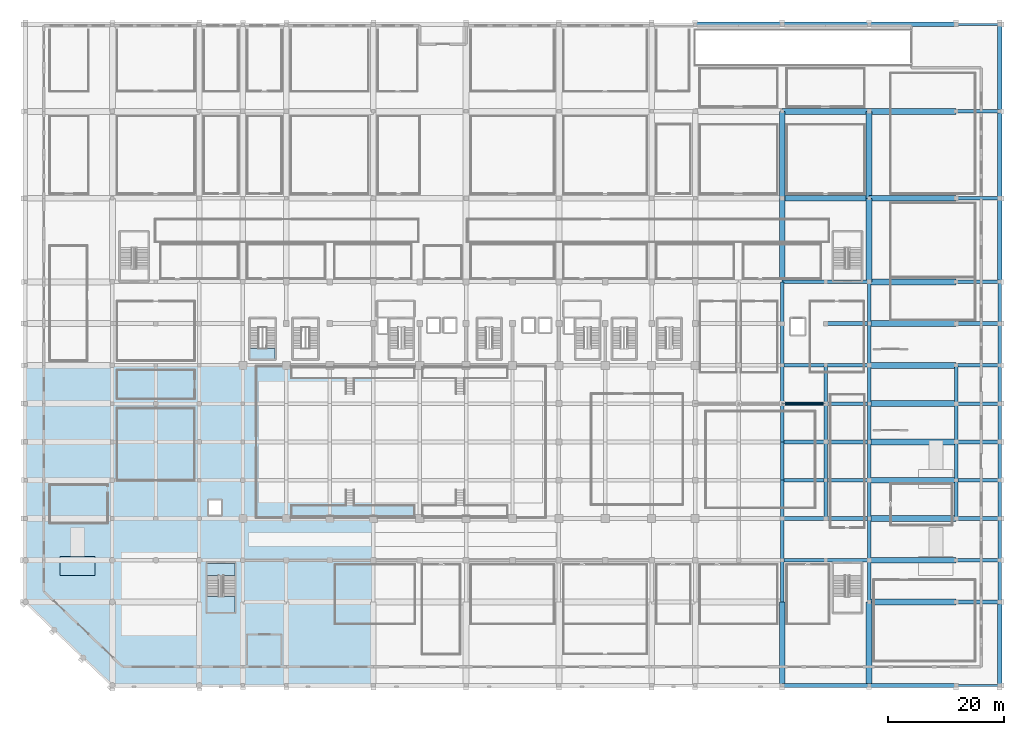
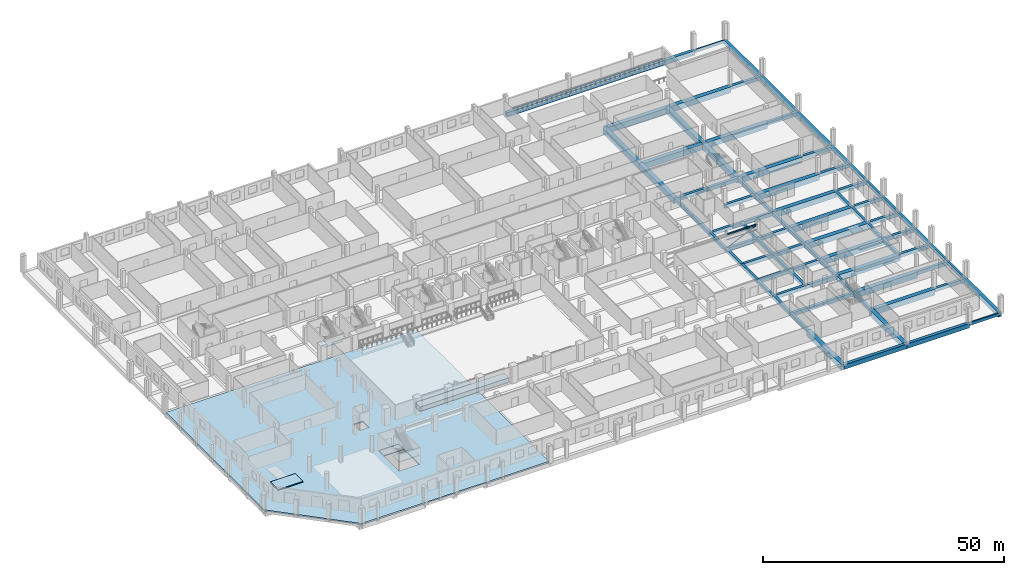
# One storey, part 8 of 33: 89 beams, 6 slabs, 2 members, 2 elements without a shape of their own.
"""IFC4 building model written with IfcOpenShell, lengths in metres."""

import ifcopenshell
import ifcopenshell.guid

model = None  # the IFC model being written
_history = None  # IfcOwnerHistory: only IFC2X3 demands one
_inside = {}  # id of a spatial element -> (the spatial element, [elements in it])
_under = {}  # id of a project, library or spatial element -> (it, [spatial elements below it])
_declared = {}  # id of a project -> (the project, [libraries it declares])
_typed = {}  # id of a type object -> (the type object, [elements of that type])
_made_of = {}  # id of a material, layer set ... -> (it, [elements and type objects made of it])


def new_model(schema):
    """Start an empty IFC model of exactly this schema.

    Asked for "IFC4X3", IfcOpenShell would pick the latest addendum, in which some entities
    have other attributes; the version numbers below select the first issue.
    IFC2X3 requires an IfcOwnerHistory on every rooted entity: one is made here for all.
    """
    global model, _history
    if schema == "IFC4X3":
        model = ifcopenshell.file(schema_version=(4, 3, 0, 0))
    else:
        model = ifcopenshell.file(schema=schema)
    _inside.clear()
    _under.clear()
    _declared.clear()
    _typed.clear()
    _made_of.clear()
    _history = None
    if model.schema == "IFC2X3":
        org = make("IfcOrganization", Name="unknown")
        user = make(
            "IfcPersonAndOrganization",
            ThePerson=make("IfcPerson", FamilyName="unknown"),
            TheOrganization=org,
        )
        app = make(
            "IfcApplication",
            ApplicationDeveloper=org,
            Version="unknown",
            ApplicationFullName="unknown",
            ApplicationIdentifier="unknown",
        )
        _history = make(
            "IfcOwnerHistory",
            OwningUser=user,
            OwningApplication=app,
            ChangeAction="ADDED",
            CreationDate=0,
        )
    return model


def make(cls, **values):
    """One entity of the class cls with the attributes given. An attribute that is None is left unset."""
    return model.create_entity(
        cls, **{name: value for name, value in values.items() if value is not None}
    )


def rooted(cls, **values):
    """An entity with a GlobalId (a new one), such as an element, a storey or a relation."""
    return make(cls, GlobalId=ifcopenshell.guid.new(), OwnerHistory=_history, **values)


def si_unit(unit_type, name, prefix=None):
    """IfcSIUnit, for example si_unit("LENGTHUNIT", "METRE", prefix="MILLI")."""
    return make("IfcSIUnit", UnitType=unit_type, Prefix=prefix, Name=name)


def assignment(units):
    """IfcUnitAssignment: the units of a project."""
    return None if units is None else make("IfcUnitAssignment", Units=units)


def point(xyz):
    """IfcCartesianPoint."""
    return None if xyz is None else make("IfcCartesianPoint", Coordinates=xyz)


def direction(xyz):
    """IfcDirection."""
    return None if xyz is None else make("IfcDirection", DirectionRatios=xyz)


def frame(location, z_axis=None, x_axis=None):
    """IfcAxis2Placement3D, a coordinate frame: its origin and axes. An axis left out is left unset."""
    return make(
        "IfcAxis2Placement3D",
        Location=point(location),
        Axis=direction(z_axis),
        RefDirection=direction(x_axis),
    )


def frame_2d(location, x_axis=None):
    """IfcAxis2Placement2D, a coordinate frame in the plane: its origin and x axis."""
    return make(
        "IfcAxis2Placement2D", Location=point(location), RefDirection=direction(x_axis)
    )


def origin():
    """The frame at (0, 0, 0) with its axes left unset."""
    return frame((0.0, 0.0, 0.0))


def origin_2d():
    """The frame at (0, 0) in the plane with its x axis left unset."""
    return frame_2d((0.0, 0.0))


def place(relative_to, where):
    """IfcLocalPlacement: puts the frame where relative to a parent placement (None: the world)."""
    return make(
        "IfcLocalPlacement", PlacementRelTo=relative_to, RelativePlacement=where
    )


def context(
    kind, dimensions, precision=None, world=None, true_north=None, identifier=None
):
    """IfcGeometricRepresentationContext, for example the 3D "Model" context."""
    return make(
        "IfcGeometricRepresentationContext",
        ContextIdentifier=identifier,
        ContextType=kind,
        CoordinateSpaceDimension=dimensions,
        Precision=precision,
        WorldCoordinateSystem=world,
        TrueNorth=true_north,
    )


def subcontext(parent, identifier, kind, view, scale=None):
    """IfcGeometricRepresentationSubContext, for example "Body" below "Model"."""
    return make(
        "IfcGeometricRepresentationSubContext",
        ContextIdentifier=identifier,
        ContextType=kind,
        ParentContext=parent,
        TargetScale=scale,
        TargetView=view,
    )


def project(units=None, contexts=None):
    """IfcProject with its units and contexts."""
    return rooted(
        "IfcProject",
        Name="project",
        RepresentationContexts=contexts,
        UnitsInContext=assignment(units),
    )


def spatial(cls, under=None, at=None, **own):
    """A site, building, storey or space (cls), placed at a placement, below another one or the project."""
    s = rooted(cls, ObjectPlacement=at, **own)
    if under is not None:
        _under.setdefault(under.id(), (under, []))[1].append(s)
    return s


def polyline(points):
    """IfcPolyline through the points."""
    return make("IfcPolyline", Points=[point(p) for p in points])


def profile(cls, at=None, kind="AREA", **sizes):
    """A parametric profile (cls). Its sizes go by their IFC names, for example OverallWidth=200.0."""
    return make(cls, ProfileType=kind, Position=at, **sizes)


def rectangle(**sizes):
    """IfcRectangleProfileDef."""
    return profile("IfcRectangleProfileDef", **sizes)


def hollow_rectangle(**sizes):
    """IfcRectangleHollowProfileDef."""
    return profile("IfcRectangleHollowProfileDef", **sizes)


def hollow_circle(**sizes):
    """IfcCircleHollowProfileDef."""
    return profile("IfcCircleHollowProfileDef", **sizes)


def i_section(**sizes):
    """IfcIShapeProfileDef."""
    return profile("IfcIShapeProfileDef", **sizes)


def outline(outer, holes=None, kind="AREA"):
    """IfcArbitraryClosedProfileDef: a profile drawn as a closed curve; with holes, ...WithVoids."""
    if holes is None:
        return make("IfcArbitraryClosedProfileDef", ProfileType=kind, OuterCurve=outer)
    return make(
        "IfcArbitraryProfileDefWithVoids",
        ProfileType=kind,
        OuterCurve=outer,
        InnerCurves=holes,
    )


def extrude(swept, where, along, depth):
    """IfcExtrudedAreaSolid: the profile swept, set in the frame where, extruded along a direction by depth."""
    return make(
        "IfcExtrudedAreaSolid",
        SweptArea=swept,
        Position=where,
        ExtrudedDirection=direction(along),
        Depth=depth,
    )


def shape(context_of_items, identifier, shape_type, items):
    """IfcShapeRepresentation: the items that make up one representation, for example the "Body"."""
    return make(
        "IfcShapeRepresentation",
        ContextOfItems=context_of_items,
        RepresentationIdentifier=identifier,
        RepresentationType=shape_type,
        Items=items,
    )


def material(Name=None, Category=None):
    """IfcMaterial."""
    return make("IfcMaterial", Name=Name, Category=Category)


def layer(
    of_material, thickness, ventilated=None, Name=None, Category=None, Priority=None
):
    """IfcMaterialLayer: one layer of a wall or slab, of a material (None: an air gap)."""
    return make(
        "IfcMaterialLayer",
        Material=of_material,
        LayerThickness=thickness,
        IsVentilated=ventilated,
        Name=Name,
        Category=Category,
        Priority=Priority,
    )


def layer_set(layers, Name=None):
    """IfcMaterialLayerSet."""
    return make("IfcMaterialLayerSet", MaterialLayers=layers, LayerSetName=Name)


def material_profile(
    of_material, cross_section, Name=None, Category=None, Priority=None
):
    """IfcMaterialProfile: a cross section and its material."""
    return make(
        "IfcMaterialProfile",
        Name=Name,
        Material=of_material,
        Profile=cross_section,
        Priority=Priority,
        Category=Category,
    )


def profile_set(profiles, Name=None, composite=None):
    """IfcMaterialProfileSet."""
    return make(
        "IfcMaterialProfileSet",
        Name=Name,
        MaterialProfiles=profiles,
        CompositeProfile=composite,
    )


def made_of(thing, what):
    """Note that an element or type object is made of a material, layer set ...; save() writes the relation."""
    if what is not None:
        _made_of.setdefault(what.id(), (what, []))[1].append(thing)
    return thing


def type_object(cls, material=None, **own):
    """A type object (cls), such as IfcWallType, which elements share."""
    return made_of(rooted(cls, **own), material)


def element(
    cls,
    number,
    at=None,
    inside=None,
    cuts=None,
    type_object=None,
    material=None,
    context=None,
    identifier="Body",
    shape_type=None,
    held_by="IfcProductDefinitionShape",
    body=None,
    shapes=None,
    **own,
):
    """One element of the class cls, such as IfcWall. Its Tag is "e" and its number.

    at: its placement. inside: the storey or other place that contains it. cuts: it is an
    opening in that element (IfcRelVoidsElement). A single representation is given by context,
    identifier, shape_type and body (its items); several are given by shapes. held_by: the class
    of the entity that holds the representations. save() writes the other relations.
    """
    e = rooted(cls, Tag="e%d" % number, ObjectPlacement=at, **own)
    if body is not None:
        shapes = [shape(context, identifier, shape_type, body)]
    if shapes is not None:
        e.Representation = make(held_by, Representations=shapes)
    if inside is not None:
        _inside.setdefault(inside.id(), (inside, []))[1].append(e)
    if cuts is not None:
        rooted(
            "IfcRelVoidsElement", RelatingBuildingElement=cuts, RelatedOpeningElement=e
        )
    if type_object is not None:
        _typed.setdefault(type_object.id(), (type_object, []))[1].append(e)
    return made_of(e, material)


def aggregate(whole, parts):
    """IfcRelAggregates: a whole, such as a stair, and the parts it consists of."""
    return rooted("IfcRelAggregates", RelatingObject=whole, RelatedObjects=parts)


def save(model, path):
    """Write the relations noted so far, then the file.

    IfcRelAggregates (storeys below a building ...), IfcRelContainedInSpatialStructure (elements
    in a storey), IfcRelDefinesByType, IfcRelAssociatesMaterial and IfcRelDeclares: one each for
    every whole, place, type object, material and project.
    """
    for whole, parts in _under.values():
        aggregate(whole, parts)
    for where, things in _inside.values():
        rooted(
            "IfcRelContainedInSpatialStructure",
            RelatedElements=things,
            RelatingStructure=where,
        )
    for kind, things in _typed.values():
        rooted("IfcRelDefinesByType", RelatedObjects=things, RelatingType=kind)
    for what, things in _made_of.values():
        rooted("IfcRelAssociatesMaterial", RelatedObjects=things, RelatingMaterial=what)
    for by, libraries in _declared.values():
        rooted("IfcRelDeclares", RelatingContext=by, RelatedDefinitions=libraries)
    model.write(path)


model = new_model("IFC4")

# Units and contexts
model_context = context("Model", 3, precision=1e-05, world=origin(), true_north=direction((0.0, 1.0)))
body_context = subcontext(model_context, "Body", "Model", "MODEL_VIEW")
ifc_project = project(units=[si_unit("LENGTHUNIT", "METRE"), si_unit("AREAUNIT", "SQUARE_METRE"), si_unit("VOLUMEUNIT", "CUBIC_METRE"), si_unit("PLANEANGLEUNIT", "RADIAN"), si_unit("MASSUNIT", "GRAM", prefix="KILO")], contexts=[model_context])

# Site, building, storey
site_placement = place(None, origin())
site = spatial("IfcSite", under=ifc_project, at=site_placement, CompositionType="ELEMENT")
building_placement = place(site_placement, origin())
building = spatial("IfcBuilding", under=site, at=building_placement, Name="Akrevak Sports Hall", CompositionType="ELEMENT")
storey_placement = place(building_placement, origin())
storey = spatial("IfcBuildingStorey", under=building, at=storey_placement, Name="L00", CompositionType="ELEMENT", Elevation=0.0)

# Beams
ifc_material_1 = material(Name="Concrete C50/60", Category="concrete")
ifc_material_profile_1 = material_profile(ifc_material_1, rectangle(XDim=1.0, YDim=1.449951171875, at=origin_2d()), Name="BM 1000x1450", Category="concrete")
ifc_profile_set_1 = profile_set([ifc_material_profile_1], Name="Concrete C50/60")
beam_type_1 = type_object("IfcBeamType", Name="STR-BM-LG1000x1450", PredefinedType="BEAM", material=ifc_profile_set_1)
for number, where, z_axis, x_axis, name in (
    (1, (145.5, 14.39990234375, -0.72509765625), (1.0, 0.0, 0.0), (0.0, 1.0, 0.0), "Girder C/20-22 (L00)"),
    (2, (145.5, 21.60009765625, -0.72509765625), (1.0, 0.0, 0.0), (0.0, 1.0, 0.0), "Girder D/20-22 (L00)"),
    (3, (145.5, 28.800048828125, -0.72509765625), (1.0, 0.0, 0.0), (0.0, 1.0, 0.0), "Girder E/20-22 (L00)"),
    (4, (145.5, 35.39990234375, -0.72509765625), (1.0, 0.0, 0.0), (0.0, 1.0, 0.0), "Girder F/20-22 (L00)"),
    (5, (145.5, 42.0, -0.72509765625), (1.0, 0.0, 0.0), (0.0, 1.0, 0.0), "Girder G/20-22 (L00)"),
    (6, (145.5, 48.60009765625, -0.72509765625), (1.0, 0.0, 0.0), (0.0, 1.0, 0.0), "Girder H/20-22 (L00)"),
    (7, (145.5, 55.199951171875, -0.72509765625), (1.0, 0.0, 0.0), (0.0, 1.0, 0.0), "Girder I/20-22 (L00)"),
    (8, (145.5, 62.39990234375, -0.72509765625), (1.0, 0.0, 0.0), (0.0, 1.0, 0.0), "Girder J/20-22 (L00)"),
    (9, (145.5, 69.60009765625, -0.72509765625), (1.0, 0.0, 0.0), (0.0, 1.0, 0.0), "Girder K/20-22 (L00)"),
    (10, (130.5, 84.0, -0.72509765625), (1.0, 0.0, 0.0), (0.0, 1.0, 0.0), "Girder M/18-20 (L00)"),
    (11, (145.5, 84.0, -0.72509765625), (1.0, 0.0, 0.0), (0.0, 1.0, 0.0), "Girder M/20-22 (L00)"),
    (12, (130.5, 99.0, -0.72509765625), (1.0, 0.0, 0.0), (0.0, 1.0, 0.0), "Girder O/18-20 (L00)"),
    (13, (145.5, 99.0, -0.72509765625), (1.0, 0.0, 0.0), (0.0, 1.0, 0.0), "Girder O/20-22 (L00)"),
):
    element("IfcBeam", number, at=place(storey_placement, frame(where, z_axis=z_axis, x_axis=x_axis)), inside=storey, type_object=beam_type_1, Name=name, PredefinedType="BEAM", context=body_context, shape_type="SweptSolid", body=[
        extrude(rectangle(XDim=1.0, YDim=1.449951171875, at=origin_2d()), origin(), (0.0, 0.0, 1.0), 15.0),
    ])
for number, where, z_axis, x_axis, name in (
    (14, (130.5, 0.0, -0.72509765625), (0.0, 1.0, 0.0), (-1.0, 0.0, 0.0), "Girder 18/A-C (L00)"),
    (15, (130.5, 69.60009765625, -0.72509765625), (0.0, 1.0, 0.0), (-1.0, 0.0, 0.0), "Girder 18/K-M (L00)"),
):
    element("IfcBeam", number, at=place(storey_placement, frame(where, z_axis=z_axis, x_axis=x_axis)), inside=storey, type_object=beam_type_1, Name=name, PredefinedType="BEAM", context=body_context, shape_type="SweptSolid", body=[
        extrude(rectangle(XDim=1.0, YDim=1.449951171875, at=origin_2d()), origin(), (0.0, 0.0, 1.0), 14.39990234375),
    ])
beam_1_placement = place(storey_placement, frame((130.5, 84.0, -0.72509765625), z_axis=(0.0, 1.0, 0.0), x_axis=(-1.0, 0.0, 0.0)))
element("IfcBeam", 16, at=beam_1_placement, inside=storey, type_object=beam_type_1, Name="Girder 18/M-O (L00)", PredefinedType="BEAM", context=body_context, shape_type="SweptSolid", body=[
    extrude(rectangle(XDim=1.0, YDim=1.449951171875, at=origin_2d()), origin(), (0.0, 0.0, 1.0), 15.0),
])
for number, where, z_axis, x_axis, name in (
    (17, (145.5, 0.0, -0.72509765625), (0.0, 1.0, 0.0), (-1.0, 0.0, 0.0), "Girder 20/A-C (L00)"),
    (18, (145.5, 69.60009765625, -0.72509765625), (0.0, 1.0, 0.0), (-1.0, 0.0, 0.0), "Girder 20/K-M (L00)"),
):
    element("IfcBeam", number, at=place(storey_placement, frame(where, z_axis=z_axis, x_axis=x_axis)), inside=storey, type_object=beam_type_1, Name=name, PredefinedType="BEAM", context=body_context, shape_type="SweptSolid", body=[
        extrude(rectangle(XDim=1.0, YDim=1.449951171875, at=origin_2d()), origin(), (0.0, 0.0, 1.0), 14.39990234375),
    ])
beam_2_placement = place(storey_placement, frame((145.5, 84.0, -0.72509765625), z_axis=(0.0, 1.0, 0.0), x_axis=(-1.0, 0.0, 0.0)))
element("IfcBeam", 19, at=beam_2_placement, inside=storey, type_object=beam_type_1, Name="Girder 20/M-O (L00)", PredefinedType="BEAM", context=body_context, shape_type="SweptSolid", body=[
    extrude(rectangle(XDim=1.0, YDim=1.449951171875, at=origin_2d()), origin(), (0.0, 0.0, 1.0), 15.0),
])
ifc_material_2 = material(Name="Concrete C40/50", Category="concrete")
ifc_material_profile_2 = material_profile(ifc_material_2, rectangle(XDim=0.60009765625, YDim=0.85009765625, at=origin_2d()), Name="BM 600x850", Category="concrete")
ifc_profile_set_2 = profile_set([ifc_material_profile_2], Name="Concrete C40/50")
beam_type_2 = type_object("IfcBeamType", Name="STR-BM-RC600x850", PredefinedType="BEAM", material=ifc_profile_set_2)
beam_3_placement = place(storey_placement, frame((130.5, 14.39990234375, -0.425048828125), z_axis=(0.0, 1.0, 0.0), x_axis=(-1.0, 0.0, 0.0)))
element("IfcBeam", 20, at=beam_3_placement, inside=storey, type_object=beam_type_2, Name="Girder 18/C-D (L00)", PredefinedType="BEAM", context=body_context, shape_type="SweptSolid", body=[
    extrude(rectangle(XDim=0.60009765625, YDim=0.85009765625, at=origin_2d()), origin(), (0.0, 0.0, 1.0), 7.2001953125),
])
beam_4_placement = place(storey_placement, frame((130.5, 21.60009765625, -0.425048828125), z_axis=(0.0, 1.0, 0.0), x_axis=(-1.0, 0.0, 0.0)))
element("IfcBeam", 21, at=beam_4_placement, inside=storey, type_object=beam_type_2, Name="Girder 18/D-E (L00)", PredefinedType="BEAM", context=body_context, shape_type="SweptSolid", body=[
    extrude(rectangle(XDim=0.60009765625, YDim=0.85009765625, at=origin_2d()), origin(), (0.0, 0.0, 1.0), 7.199951171875),
])
beam_5_placement = place(storey_placement, frame((130.5, 28.800048828125, -0.425048828125), z_axis=(0.0, 1.0, 0.0), x_axis=(-1.0, 0.0, 0.0)))
element("IfcBeam", 22, at=beam_5_placement, inside=storey, type_object=beam_type_2, Name="Girder 18/E-F (L00)", PredefinedType="BEAM", context=body_context, shape_type="SweptSolid", body=[
    extrude(rectangle(XDim=0.60009765625, YDim=0.85009765625, at=origin_2d()), origin(), (0.0, 0.0, 1.0), 6.599853515625),
])
for number, where, z_axis, x_axis, name in (
    (23, (130.5, 35.39990234375, -0.425048828125), (0.0, 1.0, 0.0), (-1.0, 0.0, 0.0), "Girder 18/F-G (L00)"),
    (24, (130.5, 42.0, -0.425048828125), (0.0, 1.0, 0.0), (-1.0, 0.0, 0.0), "Girder 18/G-H (L00)"),
):
    element("IfcBeam", number, at=place(storey_placement, frame(where, z_axis=z_axis, x_axis=x_axis)), inside=storey, type_object=beam_type_2, Name=name, PredefinedType="BEAM", context=body_context, shape_type="SweptSolid", body=[
        extrude(rectangle(XDim=0.60009765625, YDim=0.85009765625, at=origin_2d()), origin(), (0.0, 0.0, 1.0), 6.60009765625),
    ])
beam_6_placement = place(storey_placement, frame((130.5, 48.60009765625, -0.425048828125), z_axis=(0.0, 1.0, 0.0), x_axis=(-1.0, 0.0, 0.0)))
element("IfcBeam", 25, at=beam_6_placement, inside=storey, type_object=beam_type_2, Name="Girder 18/H-I (L00)", PredefinedType="BEAM", context=body_context, shape_type="SweptSolid", body=[
    extrude(rectangle(XDim=0.60009765625, YDim=0.85009765625, at=origin_2d()), origin(), (0.0, 0.0, 1.0), 6.599853515625),
])
beam_7_placement = place(storey_placement, frame((130.5, 55.199951171875, -0.425048828125), z_axis=(0.0, 1.0, 0.0), x_axis=(-1.0, 0.0, 0.0)))
element("IfcBeam", 26, at=beam_7_placement, inside=storey, type_object=beam_type_2, Name="Girder 18/I-J (L00)", PredefinedType="BEAM", context=body_context, shape_type="SweptSolid", body=[
    extrude(rectangle(XDim=0.60009765625, YDim=0.85009765625, at=origin_2d()), origin(), (0.0, 0.0, 1.0), 7.199951171875),
])
beam_8_placement = place(storey_placement, frame((130.5, 62.39990234375, -0.425048828125), z_axis=(0.0, 1.0, 0.0), x_axis=(-1.0, 0.0, 0.0)))
element("IfcBeam", 27, at=beam_8_placement, inside=storey, type_object=beam_type_2, Name="Girder 18/J-K (L00)", PredefinedType="BEAM", context=body_context, shape_type="SweptSolid", body=[
    extrude(rectangle(XDim=0.60009765625, YDim=0.85009765625, at=origin_2d()), origin(), (0.0, 0.0, 1.0), 7.2001953125),
])
beam_9_placement = place(storey_placement, frame((138.0, 28.800048828125, -0.425048828125), z_axis=(0.0, 1.0, 0.0), x_axis=(-1.0, 0.0, 0.0)))
element("IfcBeam", 28, at=beam_9_placement, inside=storey, type_object=beam_type_2, Name="Girder 19/E-F (L00)", PredefinedType="BEAM", context=body_context, shape_type="SweptSolid", body=[
    extrude(rectangle(XDim=0.60009765625, YDim=0.85009765625, at=origin_2d()), origin(), (0.0, 0.0, 1.0), 6.599853515625),
])
for number, where, z_axis, x_axis, name in (
    (29, (138.0, 35.39990234375, -0.425048828125), (0.0, 1.0, 0.0), (-1.0, 0.0, 0.0), "Girder 19/F-G (L00)"),
    (30, (138.0, 42.0, -0.425048828125), (0.0, 1.0, 0.0), (-1.0, 0.0, 0.0), "Girder 19/G-H (L00)"),
):
    element("IfcBeam", number, at=place(storey_placement, frame(where, z_axis=z_axis, x_axis=x_axis)), inside=storey, type_object=beam_type_2, Name=name, PredefinedType="BEAM", context=body_context, shape_type="SweptSolid", body=[
        extrude(rectangle(XDim=0.60009765625, YDim=0.85009765625, at=origin_2d()), origin(), (0.0, 0.0, 1.0), 6.60009765625),
    ])
beam_10_placement = place(storey_placement, frame((138.0, 48.60009765625, -0.425048828125), z_axis=(0.0, 1.0, 0.0), x_axis=(-1.0, 0.0, 0.0)))
element("IfcBeam", 31, at=beam_10_placement, inside=storey, type_object=beam_type_2, Name="Girder 19/H-I (L00)", PredefinedType="BEAM", context=body_context, shape_type="SweptSolid", body=[
    extrude(rectangle(XDim=0.60009765625, YDim=0.85009765625, at=origin_2d()), origin(), (0.0, 0.0, 1.0), 6.599853515625),
])
beam_11_placement = place(storey_placement, frame((145.5, 14.39990234375, -0.425048828125), z_axis=(0.0, 1.0, 0.0), x_axis=(-1.0, 0.0, 0.0)))
element("IfcBeam", 32, at=beam_11_placement, inside=storey, type_object=beam_type_2, Name="Girder 20/C-D (L00)", PredefinedType="BEAM", context=body_context, shape_type="SweptSolid", body=[
    extrude(rectangle(XDim=0.60009765625, YDim=0.85009765625, at=origin_2d()), origin(), (0.0, 0.0, 1.0), 7.2001953125),
])
beam_12_placement = place(storey_placement, frame((145.5, 21.60009765625, -0.425048828125), z_axis=(0.0, 1.0, 0.0), x_axis=(-1.0, 0.0, 0.0)))
element("IfcBeam", 33, at=beam_12_placement, inside=storey, type_object=beam_type_2, Name="Girder 20/D-E (L00)", PredefinedType="BEAM", context=body_context, shape_type="SweptSolid", body=[
    extrude(rectangle(XDim=0.60009765625, YDim=0.85009765625, at=origin_2d()), origin(), (0.0, 0.0, 1.0), 7.199951171875),
])
beam_13_placement = place(storey_placement, frame((145.5, 28.800048828125, -0.425048828125), z_axis=(0.0, 1.0, 0.0), x_axis=(-1.0, 0.0, 0.0)))
element("IfcBeam", 34, at=beam_13_placement, inside=storey, type_object=beam_type_2, Name="Girder 20/E-F (L00)", PredefinedType="BEAM", context=body_context, shape_type="SweptSolid", body=[
    extrude(rectangle(XDim=0.60009765625, YDim=0.85009765625, at=origin_2d()), origin(), (0.0, 0.0, 1.0), 6.599853515625),
])
for number, where, z_axis, x_axis, name in (
    (35, (145.5, 35.39990234375, -0.425048828125), (0.0, 1.0, 0.0), (-1.0, 0.0, 0.0), "Girder 20/F-G (L00)"),
    (36, (145.5, 42.0, -0.425048828125), (0.0, 1.0, 0.0), (-1.0, 0.0, 0.0), "Girder 20/G-H (L00)"),
):
    element("IfcBeam", number, at=place(storey_placement, frame(where, z_axis=z_axis, x_axis=x_axis)), inside=storey, type_object=beam_type_2, Name=name, PredefinedType="BEAM", context=body_context, shape_type="SweptSolid", body=[
        extrude(rectangle(XDim=0.60009765625, YDim=0.85009765625, at=origin_2d()), origin(), (0.0, 0.0, 1.0), 6.60009765625),
    ])
beam_14_placement = place(storey_placement, frame((145.5, 48.60009765625, -0.425048828125), z_axis=(0.0, 1.0, 0.0), x_axis=(-1.0, 0.0, 0.0)))
element("IfcBeam", 37, at=beam_14_placement, inside=storey, type_object=beam_type_2, Name="Girder 20/H-I (L00)", PredefinedType="BEAM", context=body_context, shape_type="SweptSolid", body=[
    extrude(rectangle(XDim=0.60009765625, YDim=0.85009765625, at=origin_2d()), origin(), (0.0, 0.0, 1.0), 6.599853515625),
])
beam_15_placement = place(storey_placement, frame((145.5, 55.199951171875, -0.425048828125), z_axis=(0.0, 1.0, 0.0), x_axis=(-1.0, 0.0, 0.0)))
element("IfcBeam", 38, at=beam_15_placement, inside=storey, type_object=beam_type_2, Name="Girder 20/I-J (L00)", PredefinedType="BEAM", context=body_context, shape_type="SweptSolid", body=[
    extrude(rectangle(XDim=0.60009765625, YDim=0.85009765625, at=origin_2d()), origin(), (0.0, 0.0, 1.0), 7.199951171875),
])
beam_16_placement = place(storey_placement, frame((145.5, 62.39990234375, -0.425048828125), z_axis=(0.0, 1.0, 0.0), x_axis=(-1.0, 0.0, 0.0)))
element("IfcBeam", 39, at=beam_16_placement, inside=storey, type_object=beam_type_2, Name="Girder 20/J-K (L00)", PredefinedType="BEAM", context=body_context, shape_type="SweptSolid", body=[
    extrude(rectangle(XDim=0.60009765625, YDim=0.85009765625, at=origin_2d()), origin(), (0.0, 0.0, 1.0), 7.2001953125),
])
beam_17_placement = place(storey_placement, frame((160.5, 28.800048828125, -0.425048828125), z_axis=(0.0, 1.0, 0.0), x_axis=(-1.0, 0.0, 0.0)))
element("IfcBeam", 40, at=beam_17_placement, inside=storey, type_object=beam_type_2, Name="Girder 22/E-F (L00)", PredefinedType="BEAM", context=body_context, shape_type="SweptSolid", body=[
    extrude(rectangle(XDim=0.60009765625, YDim=0.85009765625, at=origin_2d()), origin(), (0.0, 0.0, 1.0), 6.599853515625),
])
for number, where, z_axis, x_axis, name in (
    (41, (160.5, 35.39990234375, -0.425048828125), (0.0, 1.0, 0.0), (-1.0, 0.0, 0.0), "Girder 22/F-G (L00)"),
    (42, (160.5, 42.0, -0.425048828125), (0.0, 1.0, 0.0), (-1.0, 0.0, 0.0), "Girder 22/G-H (L00)"),
):
    element("IfcBeam", number, at=place(storey_placement, frame(where, z_axis=z_axis, x_axis=x_axis)), inside=storey, type_object=beam_type_2, Name=name, PredefinedType="BEAM", context=body_context, shape_type="SweptSolid", body=[
        extrude(rectangle(XDim=0.60009765625, YDim=0.85009765625, at=origin_2d()), origin(), (0.0, 0.0, 1.0), 6.60009765625),
    ])
beam_18_placement = place(storey_placement, frame((160.5, 48.60009765625, -0.425048828125), z_axis=(0.0, 1.0, 0.0), x_axis=(-1.0, 0.0, 0.0)))
element("IfcBeam", 43, at=beam_18_placement, inside=storey, type_object=beam_type_2, Name="Girder 22/H-I (L00)", PredefinedType="BEAM", context=body_context, shape_type="SweptSolid", body=[
    extrude(rectangle(XDim=0.60009765625, YDim=0.85009765625, at=origin_2d()), origin(), (0.0, 0.0, 1.0), 6.599853515625),
])
beam_19_placement = place(storey_placement, frame((168.0, 14.39990234375, -0.425048828125), z_axis=(0.0, 1.0, 0.0), x_axis=(-1.0, 0.0, 0.0)))
element("IfcBeam", 44, at=beam_19_placement, inside=storey, type_object=beam_type_2, Name="Girder 23/C-D (L00)", PredefinedType="BEAM", context=body_context, shape_type="SweptSolid", body=[
    extrude(rectangle(XDim=0.60009765625, YDim=0.85009765625, at=origin_2d()), origin(), (0.0, 0.0, 1.0), 7.2001953125),
])
beam_20_placement = place(storey_placement, frame((168.0, 21.60009765625, -0.425048828125), z_axis=(0.0, 1.0, 0.0), x_axis=(-1.0, 0.0, 0.0)))
element("IfcBeam", 45, at=beam_20_placement, inside=storey, type_object=beam_type_2, Name="Girder 23/D-E (L00)", PredefinedType="BEAM", context=body_context, shape_type="SweptSolid", body=[
    extrude(rectangle(XDim=0.60009765625, YDim=0.85009765625, at=origin_2d()), origin(), (0.0, 0.0, 1.0), 7.199951171875),
])
beam_21_placement = place(storey_placement, frame((168.0, 28.800048828125, -0.425048828125), z_axis=(0.0, 1.0, 0.0), x_axis=(-1.0, 0.0, 0.0)))
element("IfcBeam", 46, at=beam_21_placement, inside=storey, type_object=beam_type_2, Name="Girder 23/E-F (L00)", PredefinedType="BEAM", context=body_context, shape_type="SweptSolid", body=[
    extrude(rectangle(XDim=0.60009765625, YDim=0.85009765625, at=origin_2d()), origin(), (0.0, 0.0, 1.0), 6.599853515625),
])
for number, where, z_axis, x_axis, name in (
    (47, (168.0, 35.39990234375, -0.425048828125), (0.0, 1.0, 0.0), (-1.0, 0.0, 0.0), "Girder 23/F-G (L00)"),
    (48, (168.0, 42.0, -0.425048828125), (0.0, 1.0, 0.0), (-1.0, 0.0, 0.0), "Girder 23/G-H (L00)"),
):
    element("IfcBeam", number, at=place(storey_placement, frame(where, z_axis=z_axis, x_axis=x_axis)), inside=storey, type_object=beam_type_2, Name=name, PredefinedType="BEAM", context=body_context, shape_type="SweptSolid", body=[
        extrude(rectangle(XDim=0.60009765625, YDim=0.85009765625, at=origin_2d()), origin(), (0.0, 0.0, 1.0), 6.60009765625),
    ])
beam_22_placement = place(storey_placement, frame((168.0, 48.60009765625, -0.425048828125), z_axis=(0.0, 1.0, 0.0), x_axis=(-1.0, 0.0, 0.0)))
element("IfcBeam", 49, at=beam_22_placement, inside=storey, type_object=beam_type_2, Name="Girder 23/H-I (L00)", PredefinedType="BEAM", context=body_context, shape_type="SweptSolid", body=[
    extrude(rectangle(XDim=0.60009765625, YDim=0.85009765625, at=origin_2d()), origin(), (0.0, 0.0, 1.0), 6.599853515625),
])
beam_23_placement = place(storey_placement, frame((168.0, 55.199951171875, -0.425048828125), z_axis=(0.0, 1.0, 0.0), x_axis=(-1.0, 0.0, 0.0)))
element("IfcBeam", 50, at=beam_23_placement, inside=storey, type_object=beam_type_2, Name="Girder 23/I-J (L00)", PredefinedType="BEAM", context=body_context, shape_type="SweptSolid", body=[
    extrude(rectangle(XDim=0.60009765625, YDim=0.85009765625, at=origin_2d()), origin(), (0.0, 0.0, 1.0), 7.199951171875),
])
beam_24_placement = place(storey_placement, frame((168.0, 62.39990234375, -0.425048828125), z_axis=(0.0, 1.0, 0.0), x_axis=(-1.0, 0.0, 0.0)))
element("IfcBeam", 51, at=beam_24_placement, inside=storey, type_object=beam_type_2, Name="Girder 23/J-K (L00)", PredefinedType="BEAM", context=body_context, shape_type="SweptSolid", body=[
    extrude(rectangle(XDim=0.60009765625, YDim=0.85009765625, at=origin_2d()), origin(), (0.0, 0.0, 1.0), 7.2001953125),
])
ifc_material_profile_3 = material_profile(ifc_material_2, rectangle(XDim=0.64990234375, YDim=0.89990234375, at=origin_2d()), Name="BM 650x900", Category="concrete")
ifc_profile_set_3 = profile_set([ifc_material_profile_3], Name="Concrete C40/50")
beam_type_3 = type_object("IfcBeamType", Name="STR-BM-RC650x900", PredefinedType="BEAM", material=ifc_profile_set_3)
for number, where, z_axis, x_axis, name in (
    (52, (160.5, 14.39990234375, -0.449951171875), (1.0, 0.0, 0.0), (0.0, 1.0, 0.0), "Girder C/22-23 (L00)"),
    (53, (130.5, 21.60009765625, -0.449951171875), (1.0, 0.0, 0.0), (0.0, 1.0, 0.0), "Girder D/18-19 (L00)"),
    (54, (138.0, 21.60009765625, -0.449951171875), (1.0, 0.0, 0.0), (0.0, 1.0, 0.0), "Girder D/19-20 (L00)"),
    (55, (160.5, 21.60009765625, -0.449951171875), (1.0, 0.0, 0.0), (0.0, 1.0, 0.0), "Girder D/22-23 (L00)"),
    (56, (130.5, 28.800048828125, -0.449951171875), (1.0, 0.0, 0.0), (0.0, 1.0, 0.0), "Girder E/18-19 (L00)"),
    (57, (138.0, 28.800048828125, -0.449951171875), (1.0, 0.0, 0.0), (0.0, 1.0, 0.0), "Girder E/19-20 (L00)"),
    (58, (160.5, 28.800048828125, -0.449951171875), (1.0, 0.0, 0.0), (0.0, 1.0, 0.0), "Girder E/22-23 (L00)"),
    (59, (130.5, 35.39990234375, -0.449951171875), (1.0, 0.0, 0.0), (0.0, 1.0, 0.0), "Girder F/18-19 (L00)"),
    (60, (138.0, 35.39990234375, -0.449951171875), (1.0, 0.0, 0.0), (0.0, 1.0, 0.0), "Girder F/19-20 (L00)"),
    (61, (160.5, 35.39990234375, -0.449951171875), (1.0, 0.0, 0.0), (0.0, 1.0, 0.0), "Girder F/22-23 (L00)"),
    (62, (130.5, 42.0, -0.449951171875), (1.0, 0.0, 0.0), (0.0, 1.0, 0.0), "Girder G/18-19 (L00)"),
    (63, (138.0, 42.0, -0.449951171875), (1.0, 0.0, 0.0), (0.0, 1.0, 0.0), "Girder G/19-20 (L00)"),
    (64, (160.5, 42.0, -0.449951171875), (1.0, 0.0, 0.0), (0.0, 1.0, 0.0), "Girder G/22-23 (L00)"),
    (65, (130.5, 48.60009765625, -0.449951171875), (1.0, 0.0, 0.0), (0.0, 1.0, 0.0), "Girder H/18-19 (L00)"),
    (66, (138.0, 48.60009765625, -0.449951171875), (1.0, 0.0, 0.0), (0.0, 1.0, 0.0), "Girder H/19-20 (L00)"),
    (67, (160.5, 48.60009765625, -0.449951171875), (1.0, 0.0, 0.0), (0.0, 1.0, 0.0), "Girder H/22-23 (L00)"),
    (68, (130.5, 55.199951171875, -0.449951171875), (1.0, 0.0, 0.0), (0.0, 1.0, 0.0), "Girder I/18-19 (L00)"),
    (69, (138.0, 55.199951171875, -0.449951171875), (1.0, 0.0, 0.0), (0.0, 1.0, 0.0), "Girder I/19-20 (L00)"),
    (70, (160.5, 55.199951171875, -0.449951171875), (1.0, 0.0, 0.0), (0.0, 1.0, 0.0), "Girder I/22-23 (L00)"),
    (71, (138.0, 62.39990234375, -0.449951171875), (1.0, 0.0, 0.0), (0.0, 1.0, 0.0), "Girder J/19-20 (L00)"),
    (72, (160.5, 62.39990234375, -0.449951171875), (1.0, 0.0, 0.0), (0.0, 1.0, 0.0), "Girder J/22-23 (L00)"),
    (73, (130.5, 69.60009765625, -0.449951171875), (1.0, 0.0, 0.0), (0.0, 1.0, 0.0), "Girder K/18-19 (L00)"),
    (74, (138.0, 69.60009765625, -0.449951171875), (1.0, 0.0, 0.0), (0.0, 1.0, 0.0), "Girder K/19-20 (L00)"),
    (75, (160.5, 69.60009765625, -0.449951171875), (1.0, 0.0, 0.0), (0.0, 1.0, 0.0), "Girder K/22-23 (L00)"),
    (76, (160.5, 84.0, -0.449951171875), (1.0, 0.0, 0.0), (0.0, 1.0, 0.0), "Girder M/22-23 (L00)"),
    (77, (160.5, 99.0, -0.449951171875), (1.0, 0.0, 0.0), (0.0, 1.0, 0.0), "Girder O/22-23 (L00)"),
):
    element("IfcBeam", number, at=place(storey_placement, frame(where, z_axis=z_axis, x_axis=x_axis)), inside=storey, type_object=beam_type_3, Name=name, PredefinedType="BEAM", context=body_context, shape_type="SweptSolid", body=[
        extrude(rectangle(XDim=0.64990234375, YDim=0.89990234375, at=origin_2d()), origin(), (0.0, 0.0, 1.0), 7.5),
    ])
ifc_material_3 = material(Name="Steel S355", Category="steel")
ifc_material_profile_4 = material_profile(ifc_material_3, i_section(OverallWidth=0.179931640625, OverallDepth=0.39990234375, WebThickness=0.008544921875, FlangeThickness=0.013427734375, FilletRadius=0.02099609375, at=origin_2d()), Name="IPE 400", Category="steel")
ifc_profile_set_4 = profile_set([ifc_material_profile_4], Name="Steel S355")
beam_type_4 = type_object("IfcBeamType", Name="STR-BM-STL-IPE400", PredefinedType="JOIST", material=ifc_profile_set_4)
beam_25_placement = place(storey_placement, frame((130.5, 48.60009765625, 3.35009765625), z_axis=(1.0, 0.0, 0.0), x_axis=(0.0, 1.0, 0.0)))
element("IfcBeam", 78, at=beam_25_placement, inside=storey, type_object=beam_type_4, Name="Climbing Frame Tie Beam 3 (L00)", PredefinedType="JOIST", context=body_context, shape_type="SweptSolid", body=[
    extrude(i_section(OverallWidth=0.179931640625, OverallDepth=0.39990234375, WebThickness=0.008544921875, FlangeThickness=0.013427734375, FilletRadius=0.02099609375, at=origin_2d()), origin(), (0.0, 0.0, 1.0), 7.5),
])

# Members
ifc_material_profile_5 = material_profile(ifc_material_3, hollow_circle(Radius=0.084228515625, WallThickness=0.008056640625, at=origin_2d()), Name="CHS 168.3x8", Category="steel")
ifc_profile_set_5 = profile_set([ifc_material_profile_5], Name="Steel S355")
member_type_1 = type_object("IfcMemberType", Name="STR-MEM-BRACE-CHS168", PredefinedType="BRACE", material=ifc_profile_set_5)
member_1_placement = place(storey_placement, frame((130.5, 48.60009765625, -0.199951171875), z_axis=(0.906183139995, 0.0, 0.422885465331), x_axis=(0.0, 1.0, 0.0)))
element("IfcMember", 79, at=member_1_placement, inside=storey, type_object=member_type_1, Name="Climbing Wall Diagonal Brace BR-3 (L00)", PredefinedType="BRACE", context=body_context, shape_type="SweptSolid", body=[
    extrude(hollow_circle(Radius=0.084228515625, WallThickness=0.008056640625, at=origin_2d()), origin(), (0.0, 0.0, 1.0), 8.2763671875),
])
ifc_material_profile_6 = material_profile(ifc_material_3, hollow_rectangle(XDim=0.1201171875, YDim=0.199951171875, WallThickness=0.010009765625, at=origin_2d()), Name="RHS 200x120x10", Category="steel")
ifc_profile_set_6 = profile_set([ifc_material_profile_6], Name="Steel S355")
member_type_2 = type_object("IfcMemberType", Name="STR-MEM-STR-RHS200", PredefinedType="STRINGER", material=ifc_profile_set_6)
member_2_placement = place(storey_placement, frame((130.5, 48.60009765625, 1.97509765625), z_axis=(1.0, 0.0, 0.0), x_axis=(0.0, 1.0, 0.0)))
element("IfcMember", 80, at=member_2_placement, inside=storey, type_object=member_type_2, Name="Climbing Wall Stringer STG-3 (L00)", PredefinedType="STRINGER", context=body_context, shape_type="SweptSolid", body=[
    extrude(hollow_rectangle(XDim=0.1201171875, YDim=0.199951171875, WallThickness=0.010009765625, at=origin_2d()), origin(), (0.0, 0.0, 1.0), 7.5),
])

# Beams
ifc_material_profile_7 = material_profile(ifc_material_1, rectangle(XDim=0.75, YDim=1.14990234375, at=origin_2d()), Name="SPD 750x1150", Category="concrete")
ifc_profile_set_7 = profile_set([ifc_material_profile_7], Name="Concrete C50/60")
beam_type_5 = type_object("IfcBeamType", Name="STR-SPD-LSP750x1150", PredefinedType="SPANDREL", material=ifc_profile_set_7)
for number, where, z_axis, x_axis, name in (
    (81, (130.5, 0.0, -0.574951171875), (1.0, 0.0, 0.0), (0.0, 1.0, 0.0), "Girder A/18-20 (L00)"),
    (82, (145.5, 0.0, -0.574951171875), (1.0, 0.0, 0.0), (0.0, 1.0, 0.0), "Girder A/20-22 (L00)"),
    (83, (115.5, 114.0, -0.574951171875), (1.0, 0.0, 0.0), (0.0, 1.0, 0.0), "Girder Q/16-18 (L00)"),
    (84, (130.5, 114.0, -0.574951171875), (1.0, 0.0, 0.0), (0.0, 1.0, 0.0), "Girder Q/18-20 (L00)"),
    (85, (145.5, 114.0, -0.574951171875), (1.0, 0.0, 0.0), (0.0, 1.0, 0.0), "Girder Q/20-22 (L00)"),
):
    element("IfcBeam", number, at=place(storey_placement, frame(where, z_axis=z_axis, x_axis=x_axis)), inside=storey, type_object=beam_type_5, Name=name, PredefinedType="SPANDREL", context=body_context, shape_type="SweptSolid", body=[
        extrude(rectangle(XDim=0.75, YDim=1.14990234375, at=origin_2d()), origin(), (0.0, 0.0, 1.0), 15.0),
    ])
for number, where, z_axis, x_axis, name in (
    (86, (168.0, 0.0, -0.574951171875), (0.0, 1.0, 0.0), (-1.0, 0.0, 0.0), "Girder 23/A-C (L00)"),
    (87, (168.0, 69.60009765625, -0.574951171875), (0.0, 1.0, 0.0), (-1.0, 0.0, 0.0), "Girder 23/K-M (L00)"),
):
    element("IfcBeam", number, at=place(storey_placement, frame(where, z_axis=z_axis, x_axis=x_axis)), inside=storey, type_object=beam_type_5, Name=name, PredefinedType="SPANDREL", context=body_context, shape_type="SweptSolid", body=[
        extrude(rectangle(XDim=0.75, YDim=1.14990234375, at=origin_2d()), origin(), (0.0, 0.0, 1.0), 14.39990234375),
    ])
for number, where, z_axis, x_axis, name in (
    (88, (168.0, 84.0, -0.574951171875), (0.0, 1.0, 0.0), (-1.0, 0.0, 0.0), "Girder 23/M-O (L00)"),
    (89, (168.0, 99.0, -0.574951171875), (0.0, 1.0, 0.0), (-1.0, 0.0, 0.0), "Girder 23/O-Q (L00)"),
):
    element("IfcBeam", number, at=place(storey_placement, frame(where, z_axis=z_axis, x_axis=x_axis)), inside=storey, type_object=beam_type_5, Name=name, PredefinedType="SPANDREL", context=body_context, shape_type="SweptSolid", body=[
        extrude(rectangle(XDim=0.75, YDim=1.14990234375, at=origin_2d()), origin(), (0.0, 0.0, 1.0), 15.0),
    ])
ifc_material_profile_8 = material_profile(ifc_material_2, rectangle(XDim=0.35009765625, YDim=0.75, at=origin_2d()), Name="SPD 350x750", Category="concrete")
ifc_profile_set_8 = profile_set([ifc_material_profile_8], Name="Concrete C40/50")
beam_type_6 = type_object("IfcBeamType", Name="STR-SPD-RC350x750", PredefinedType="SPANDREL", material=ifc_profile_set_8)
for number, where, z_axis, x_axis, name in (
    (90, (160.5, 0.0, -0.375), (1.0, 0.0, 0.0), (0.0, 1.0, 0.0), "Girder A/22-23 (L00)"),
    (91, (160.5, 114.0, -0.375), (1.0, 0.0, 0.0), (0.0, 1.0, 0.0), "Girder Q/22-23 (L00)"),
):
    element("IfcBeam", number, at=place(storey_placement, frame(where, z_axis=z_axis, x_axis=x_axis)), inside=storey, type_object=beam_type_6, Name=name, PredefinedType="SPANDREL", context=body_context, shape_type="SweptSolid", body=[
        extrude(rectangle(XDim=0.35009765625, YDim=0.75, at=origin_2d()), origin(), (0.0, 0.0, 1.0), 7.5),
    ])

# Slabs
ifc_layer_1 = layer(ifc_material_2, 0.280029296875, Name="Concrete C40/50")
ifc_layer_set_1 = layer_set([ifc_layer_1], Name="Concrete C40/50")
slab_type_1 = type_object("IfcSlabType", Name="STR-SLB-FLR-280", PredefinedType="FLOOR", material=ifc_layer_set_1)
slab_1_placement = place(storey_placement, origin())
element("IfcSlab", 92, at=slab_1_placement, inside=storey, type_object=slab_type_1, Name="West Foyer Accessible Viewing Platform 1", PredefinedType="FLOOR", context=body_context, shape_type="SweptSolid", body=[
    extrude(outline(polyline([(6.0, 19.0), (12.0, 19.0), (12.0, 22.199951171875), (6.0, 22.199951171875), (6.0, 19.0)])), origin(), (0.0, 0.0, 1.0), 0.280029296875),
])
ifc_layer_2 = layer(ifc_material_2, 0.35009765625, Name="Concrete C40/50")
ifc_layer_set_2 = layer_set([ifc_layer_2], Name="Concrete C40/50")
slab_type_2 = type_object("IfcSlabType", Name="STR-SLB-FLR-350", PredefinedType="FLOOR", material=ifc_layer_set_2)
slab_2_placement = place(storey_placement, frame((0.0, 0.0, -0.35009765625)))
element("IfcSlab", 93, at=slab_2_placement, inside=storey, type_object=slab_type_2, Name="Structural Floor Slab L00-1.1", PredefinedType="FLOOR", context=body_context, shape_type="SweptSolid", body=[
    extrude(outline(polyline([(0.0, 14.39990234375), (15.0, 0.0), (60.0, 0.0), (60.0, 55.199951171875), (0.0, 55.199951171875), (0.0, 14.39990234375)]), holes=[polyline([(36.14990234375, 21.050048828125), (36.14990234375, 12.60009765625), (31.35009765625, 12.60009765625), (31.35009765625, 21.050048828125), (36.14990234375, 21.050048828125)]), polyline([(33.780029296875, 31.97998046875), (33.780029296875, 29.419921875), (31.6201171875, 29.419921875), (31.6201171875, 31.97998046875), (33.780029296875, 31.97998046875)])]), origin(), (0.0, 0.0, 1.0), 0.35009765625),
])

# Stair, slab
stair_type_1 = type_object("IfcStairType", Name="ARC-STR-PDOG-460", PredefinedType="HALF_TURN_STAIR", material=ifc_material_2)
stair_1_placement = place(storey_placement, origin())
stair_1 = element("IfcStair", 94, at=stair_1_placement, inside=storey, type_object=stair_type_1, Name="Podium SW Exit Stair ST5 (L00 to L01)", PredefinedType="HALF_TURN_STAIR")
ifc_layer_3 = layer(ifc_material_2, 0.199951171875, Name="Concrete C40/50")
ifc_layer_set_3 = layer_set([ifc_layer_3], Name="Concrete C40/50")
slab_type_3 = type_object("IfcSlabType", Name="STR-SLB-LAND-200", PredefinedType="LANDING", material=ifc_layer_set_3)
slab_3_placement = place(storey_placement, frame((0.0, 0.0, 2.10009765625)))
slab_3 = element("IfcSlab", 95, at=slab_3_placement, type_object=slab_type_3, Name="Stair ST5 Half-Landing 1 (L00)", PredefinedType="LANDING", context=body_context, shape_type="SweptSolid", body=[
    extrude(outline(polyline([(31.35009765625, 12.60009765625), (36.14990234375, 12.60009765625), (36.14990234375, 15.31005859375), (31.35009765625, 15.31005859375), (31.35009765625, 12.60009765625)])), origin(), (0.0, 0.0, 1.0), 0.199951171875),
])
aggregate(stair_1, [slab_3])

stair_type_2 = type_object("IfcStairType", Name="ARC-STR-MDOG-460", PredefinedType="HALF_TURN_STAIR", material=ifc_material_2)
stair_2_placement = place(storey_placement, origin())
stair_2 = element("IfcStair", 96, at=stair_2_placement, inside=storey, type_object=stair_type_2, Name="Transfer West Exit Stair ST9 (L00 to L01)", PredefinedType="HALF_TURN_STAIR")
slab_4_placement = place(storey_placement, frame((0.0, 0.0, 2.10009765625)))
slab_4 = element("IfcSlab", 97, at=slab_4_placement, type_object=slab_type_3, Name="Stair ST9 Half-Landing 1 (L00)", PredefinedType="LANDING", context=body_context, shape_type="SweptSolid", body=[
    extrude(outline(polyline([(38.75, 56.300048828125), (43.050048828125, 56.300048828125), (43.050048828125, 58.094970703125), (38.75, 58.094970703125), (38.75, 56.300048828125)])), origin(), (0.0, 0.0, 1.0), 0.199951171875),
])
aggregate(stair_2, [slab_4])

# Slabs
ifc_layer_4 = layer(ifc_material_2, 0.219970703125, Name="Concrete C40/50")
ifc_layer_set_4 = layer_set([ifc_layer_4], Name="Concrete C40/50")
slab_type_4 = type_object("IfcSlabType", Name="STR-SLB-LAND-220", PredefinedType="LANDING", material=ifc_layer_set_4)
slab_5_placement = place(storey_placement, frame((0.0, 0.0, -0.219970703125)))
element("IfcSlab", 98, at=slab_5_placement, inside=storey, type_object=slab_type_4, Name="Stair ST5 Floor Landing (L00)", PredefinedType="LANDING", context=body_context, shape_type="SweptSolid", body=[
    extrude(outline(polyline([(31.35009765625, 18.949951171875), (36.14990234375, 18.949951171875), (36.14990234375, 21.050048828125), (31.35009765625, 21.050048828125), (31.35009765625, 18.949951171875)])), origin(), (0.0, 0.0, 1.0), 0.219970703125),
])
ifc_layer_5 = layer(ifc_material_2, 0.18994140625, Name="Concrete C40/50")
ifc_layer_set_5 = layer_set([ifc_layer_5], Name="Concrete C40/50")
slab_type_5 = type_object("IfcSlabType", Name="STR-SLB-TIER-190", PredefinedType="USERDEFINED", material=ifc_layer_set_5)
slab_6_placement = place(storey_placement, origin())
element("IfcSlab", 99, at=slab_6_placement, inside=storey, type_object=slab_type_5, Name="Stand Lower Handball South Bay 1", ObjectType="SEATING TIER", PredefinedType="USERDEFINED", context=body_context, shape_type="SweptSolid", body=[
    extrude(outline(polyline([(45.800048828125, 29.10009765625), (67.199951171875, 29.10009765625), (67.199951171875, 30.75), (66.85009765625, 31.10009765625), (46.14990234375, 31.10009765625), (45.800048828125, 30.75), (45.800048828125, 29.10009765625)])), origin(), (0.0, 0.0, 1.0), 1.050048828125),
])

save(model, "model.ifc")
